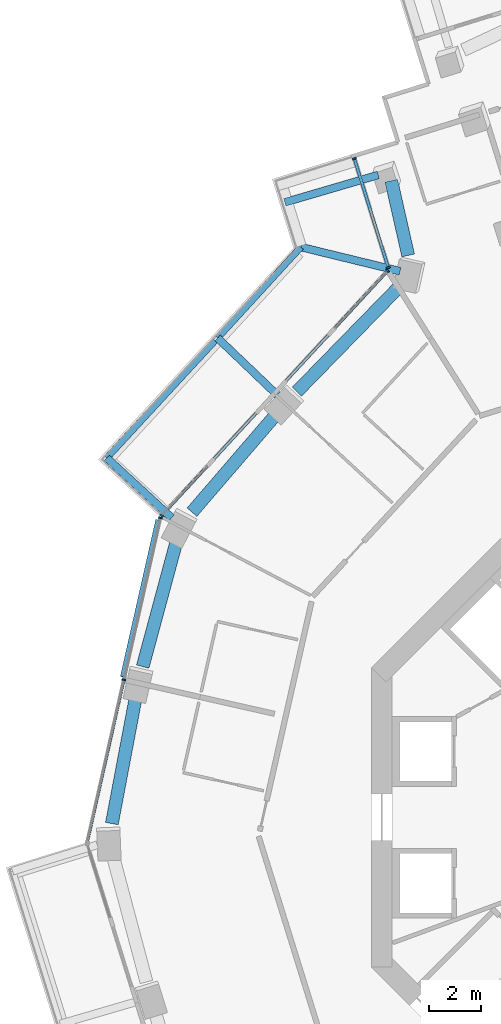
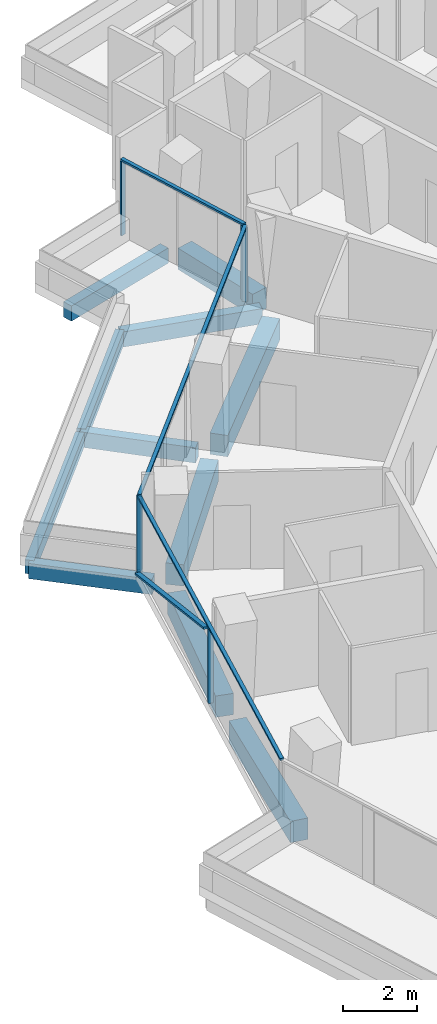
# One storey, part 7 of 25: 11 beams, 10 members, 3 elements without a shape of their own.
"""IFC4 building model written with IfcOpenShell, lengths in metres."""

from ifc_helpers import new_model, si_unit, direction, frame, origin, origin_2d, place, context, subcontext, project, spatial, rectangle, extrude, material, layer, layer_set, material_profile, profile_set, type_object, element, aggregate, save


model = new_model("IFC4")

# Units and contexts
model_context = context("Model", 3, precision=1e-05, world=origin(), true_north=direction((0.0, 1.0)))
body_context = subcontext(model_context, "Body", "Model", "MODEL_VIEW")
ifc_project = project(units=[si_unit("LENGTHUNIT", "METRE"), si_unit("AREAUNIT", "SQUARE_METRE"), si_unit("VOLUMEUNIT", "CUBIC_METRE"), si_unit("PLANEANGLEUNIT", "RADIAN"), si_unit("MASSUNIT", "GRAM", prefix="KILO")], contexts=[model_context])

# Site, building, storey
site_placement = place(None, origin())
site = spatial("IfcSite", under=ifc_project, at=site_placement, CompositionType="ELEMENT")
building_placement = place(site_placement, origin())
building = spatial("IfcBuilding", under=site, at=building_placement, Name="Verdalira Terraces Hotel", CompositionType="ELEMENT")
storey_placement = place(building_placement, frame((0.0, 0.0, 103.5)))
storey = spatial("IfcBuildingStorey", under=building, at=storey_placement, Name="L24", CompositionType="ELEMENT", Elevation=103.5)

# Beams
ifc_material_1 = material(Name="Concrete C40", Category="concrete")
ifc_material_profile_1 = material_profile(ifc_material_1, rectangle(XDim=0.300049, YDim=0.5, at=origin_2d()), Name="RC 300X500")
ifc_profile_set_1 = profile_set([ifc_material_profile_1], Name="Concrete C40")
beam_type_1 = type_object("IfcBeamType", Name="Balcony cantilever beam RC 300X500 C40", PredefinedType="BEAM", material=ifc_profile_set_1)
beam_1_placement = place(storey_placement, frame((-12.894531, 21.148926, -0.560059), z_axis=(-0.971639592, 0.236466706, 0.0), x_axis=(-0.236466706, -0.971639592, 0.0)))
element("IfcBeam", 1, at=beam_1_placement, inside=storey, type_object=beam_type_1, Name="Balcony cantilever beam R10-1", PredefinedType="BEAM", context=body_context, shape_type="SweptSolid", body=[
    extrude(rectangle(XDim=0.300049, YDim=0.5, at=origin_2d()), origin(), (0.0, 0.0, 1.0), 3.950195),
])
beam_2_placement = place(storey_placement, frame((-17.645996, 16.352539, -0.560059), z_axis=(-0.723166767, 0.69067346, 0.0), x_axis=(-0.69067346, -0.723166767, 0.0)))
element("IfcBeam", 2, at=beam_2_placement, inside=storey, type_object=beam_type_1, Name="Balcony cantilever beam R10-2", PredefinedType="BEAM", context=body_context, shape_type="SweptSolid", body=[
    extrude(rectangle(XDim=0.300049, YDim=0.5, at=origin_2d()), origin(), (0.0, 0.0, 1.0), 3.200684),
])
beam_3_placement = place(storey_placement, frame((-21.73999, 11.599609, -0.560059), z_axis=(-0.734696606, 0.678395826, 0.0), x_axis=(-0.678395826, -0.734696606, 0.0)))
element("IfcBeam", 3, at=beam_3_placement, inside=storey, type_object=beam_type_1, Name="Balcony cantilever beam R10-3", PredefinedType="BEAM", context=body_context, shape_type="SweptSolid", body=[
    extrude(rectangle(XDim=0.300049, YDim=0.5, at=origin_2d()), origin(), (0.0, 0.0, 1.0), 3.416992),
])
beam_4_placement = place(storey_placement, frame((-13.737305, 24.876709, -0.560059), z_axis=(-0.959711021, -0.280988891, 0.0), x_axis=(0.280988891, -0.959711021, 0.0)))
element("IfcBeam", 4, at=beam_4_placement, inside=storey, type_object=beam_type_1, Name="Balcony cantilever beam R10-4", PredefinedType="BEAM", context=body_context, shape_type="SweptSolid", body=[
    extrude(rectangle(XDim=0.300049, YDim=0.5, at=origin_2d()), origin(), (0.0, 0.0, 1.0), 3.772705),
])
ifc_material_2 = material(Name="Concrete C40", Category="concrete")
ifc_material_profile_2 = material_profile(ifc_material_2, rectangle(XDim=0.25, YDim=0.449951, at=origin_2d()), Name="RC 250X450")
ifc_profile_set_2 = profile_set([ifc_material_profile_2], Name="Concrete C40")
beam_type_2 = type_object("IfcBeamType", Name="Balcony edge beam RC 250X450 C40", PredefinedType="BEAM", material=ifc_profile_set_2)
beam_5_placement = place(storey_placement, frame((-16.732666, 22.083008, -0.534912), z_axis=(-0.675902852, -0.736990729, 0.0), x_axis=(0.736990729, -0.675902852, 0.0)))
element("IfcBeam", 5, at=beam_5_placement, inside=storey, type_object=beam_type_2, Name="Balcony edge beam R10-1", PredefinedType="BEAM", context=body_context, shape_type="SweptSolid", body=[
    extrude(rectangle(XDim=0.25, YDim=0.449951, at=origin_2d()), origin(), (0.0, 0.0, 1.0), 4.775879),
])
beam_6_placement = place(storey_placement, frame((-20.0625, 18.452881, -0.534912), z_axis=(-0.678427925, -0.734666966, 0.0), x_axis=(0.734666966, -0.678427925, 0.0)))
element("IfcBeam", 6, at=beam_6_placement, inside=storey, type_object=beam_type_2, Name="Balcony edge beam R10-2", PredefinedType="BEAM", context=body_context, shape_type="SweptSolid", body=[
    extrude(rectangle(XDim=0.25, YDim=0.449951, at=origin_2d()), origin(), (0.0, 0.0, 1.0), 6.173096),
])

# Curtain wall, members
ifc_material_3 = material(Name="Clear glass", Category="glass")
ifc_layer_1 = layer(ifc_material_3, 0.14990234375)
ifc_layer_set_1 = layer_set([ifc_layer_1], Name="CW1 curtain wall")
curtain_wall_type_1 = type_object("IfcCurtainWallType", Name="CW1 curtain wall", PredefinedType="NOTDEFINED", material=ifc_layer_set_1)
curtain_wall_1_placement = place(storey_placement, origin())
curtain_wall_1 = element("IfcCurtainWall", 7, at=curtain_wall_1_placement, inside=storey, type_object=curtain_wall_type_1, Name="CW1 curtain wall L24 edge 11", PredefinedType="NOTDEFINED")
ifc_material_4 = material(Name="Terracotta frame", Category="masonry")
ifc_material_profile_3 = material_profile(ifc_material_4, rectangle(XDim=0.060059, YDim=0.149902, at=origin_2d()), Name="MU 60x150")
ifc_profile_set_3 = profile_set([ifc_material_profile_3], Name="Terracotta frame")
member_type_1 = type_object("IfcMemberType", Name="CW1 mullion 60x150", PredefinedType="MULLION", material=ifc_profile_set_3)
member_1_placement = place(storey_placement, frame((-13.377686, 21.159668, 0.0), z_axis=(0.0, 0.0, 1.0), x_axis=(-0.678416162, -0.734677828, 0.0)))
member_1 = element("IfcMember", 8, at=member_1_placement, type_object=member_type_1, Name="CW1 mullion", PredefinedType="MULLION", context=body_context, shape_type="SweptSolid", body=[
    extrude(rectangle(XDim=0.060059, YDim=0.149902, at=origin_2d()), origin(), (0.0, 0.0, 1.0), 2.425049),
])
member_2_placement = place(storey_placement, frame((-22.12915, 11.682617, 0.0), z_axis=(0.0, 0.0, 1.0), x_axis=(-0.678416162, -0.734677828, 0.0)))
member_2 = element("IfcMember", 9, at=member_2_placement, type_object=member_type_1, Name="CW1 mullion", PredefinedType="MULLION", context=body_context, shape_type="SweptSolid", body=[
    extrude(rectangle(XDim=0.060059, YDim=0.149902, at=origin_2d()), origin(), (0.0, 0.0, 1.0), 2.425049),
])

curtain_wall_2_placement = place(storey_placement, origin())
curtain_wall_2 = element("IfcCurtainWall", 10, at=curtain_wall_2_placement, inside=storey, type_object=curtain_wall_type_1, Name="CW1 curtain wall L24 edge 12", PredefinedType="NOTDEFINED")
member_3_placement = place(storey_placement, frame((-22.174072, 11.596924, 0.0), z_axis=(0.0, 0.0, 1.0), x_axis=(-0.220186717, -0.975457744, 0.0)))
member_3 = element("IfcMember", 11, at=member_3_placement, type_object=member_type_1, Name="CW1 mullion", PredefinedType="MULLION", context=body_context, shape_type="SweptSolid", body=[
    extrude(rectangle(XDim=0.060059, YDim=0.149902, at=origin_2d()), origin(), (0.0, 0.0, 1.0), 2.425049),
])
member_4_placement = place(storey_placement, frame((-23.589844, 5.324951, 0.0), z_axis=(0.0, 0.0, 1.0), x_axis=(-0.220186717, -0.975457744, 0.0)))
member_4 = element("IfcMember", 12, at=member_4_placement, type_object=member_type_1, Name="CW1 mullion", PredefinedType="MULLION", context=body_context, shape_type="SweptSolid", body=[
    extrude(rectangle(XDim=0.060059, YDim=0.149902, at=origin_2d()), origin(), (0.0, 0.0, 1.0), 2.425049),
])

# Member
ifc_material_5 = material(Name="Terracotta frame", Category="masonry")
ifc_material_profile_4 = material_profile(ifc_material_5, rectangle(XDim=0.110107, YDim=0.064941, at=origin_2d()), Name="TR 65x110")
ifc_profile_set_4 = profile_set([ifc_material_profile_4], Name="Terracotta frame")
member_type_2 = type_object("IfcMemberType", Name="CW1 transom 65x110", PredefinedType="USERDEFINED", material=ifc_profile_set_4)
member_5_placement = place(storey_placement, frame((-13.357178, 21.181885, 2.45752), z_axis=(-0.678412319, -0.734681377, 0.0), x_axis=(0.734681377, -0.678412319, 0.0)))
member_5 = element("IfcMember", 13, at=member_5_placement, type_object=member_type_2, Name="CW1 transom", ObjectType="TRANSOM", PredefinedType="USERDEFINED", context=body_context, shape_type="SweptSolid", body=[
    extrude(rectangle(XDim=0.110107, YDim=0.064941, at=origin_2d()), origin(), (0.0, 0.0, 1.0), 12.959961),
])

aggregate(curtain_wall_1, [member_1, member_2, member_5])

member_6_placement = place(storey_placement, frame((-22.16748, 11.626221, 2.45752), z_axis=(-0.22018663, -0.975457763, 0.0), x_axis=(0.975457763, -0.22018663, 0.0)))
member_6 = element("IfcMember", 14, at=member_6_placement, type_object=member_type_2, Name="CW1 transom", ObjectType="TRANSOM", PredefinedType="USERDEFINED", context=body_context, shape_type="SweptSolid", body=[
    extrude(rectangle(XDim=0.110107, YDim=0.064941, at=origin_2d()), origin(), (0.0, 0.0, 1.0), 12.919678),
])

# Curtain wall, members
ifc_material_6 = material(Name="Clear glass", Category="glass")
ifc_layer_2 = layer(ifc_material_6, 0.14990234375)
ifc_layer_set_2 = layer_set([ifc_layer_2], Name="CW2 curtain wall")
curtain_wall_type_2 = type_object("IfcCurtainWallType", Name="CW2 curtain wall", PredefinedType="NOTDEFINED", material=ifc_layer_set_2)
curtain_wall_3_placement = place(storey_placement, origin())
curtain_wall_3 = element("IfcCurtainWall", 15, at=curtain_wall_3_placement, inside=storey, type_object=curtain_wall_type_2, Name="CW2 curtain wall L24 edge 10", PredefinedType="NOTDEFINED")
ifc_material_7 = material(Name="Terracotta frame", Category="masonry")
ifc_material_profile_5 = material_profile(ifc_material_7, rectangle(XDim=0.070068, YDim=0.149902, at=origin_2d()), Name="MU 70x150")
ifc_profile_set_5 = profile_set([ifc_material_profile_5], Name="Terracotta frame")
member_type_3 = type_object("IfcMemberType", Name="CW2 mullion 70x150", PredefinedType="MULLION", material=ifc_profile_set_5)
member_7_placement = place(storey_placement, frame((-14.664551, 25.510498, 0.0), z_axis=(0.0, 0.0, 1.0), x_axis=(0.297041582, -0.954864545, 0.0)))
member_7 = element("IfcMember", 16, at=member_7_placement, type_object=member_type_3, Name="CW2 mullion", PredefinedType="MULLION", context=body_context, shape_type="SweptSolid", body=[
    extrude(rectangle(XDim=0.070068, YDim=0.149902, at=origin_2d()), origin(), (0.0, 0.0, 1.0), 2.425049),
])
member_8_placement = place(storey_placement, frame((-13.351074, 21.28833, 0.0), z_axis=(0.0, 0.0, 1.0), x_axis=(0.297041582, -0.954864545, 0.0)))
member_8 = element("IfcMember", 17, at=member_8_placement, type_object=member_type_3, Name="CW2 mullion", PredefinedType="MULLION", context=body_context, shape_type="SweptSolid", body=[
    extrude(rectangle(XDim=0.070068, YDim=0.149902, at=origin_2d()), origin(), (0.0, 0.0, 1.0), 2.425049),
])
ifc_material_8 = material(Name="Terracotta frame", Category="masonry")
ifc_material_profile_6 = material_profile(ifc_material_8, rectangle(XDim=0.11499, YDim=0.064941, at=origin_2d()), Name="TR 65x115")
ifc_profile_set_6 = profile_set([ifc_material_profile_6], Name="Terracotta frame")
member_type_4 = type_object("IfcMemberType", Name="CW2 transom 65x115", PredefinedType="USERDEFINED", material=ifc_profile_set_6)
member_9_placement = place(storey_placement, frame((-14.675049, 25.543945, 2.45752), z_axis=(0.297036819, -0.954866026, 0.0), x_axis=(0.954866026, 0.297036819, 0.0)))
member_9 = element("IfcMember", 18, at=member_9_placement, type_object=member_type_4, Name="CW2 transom", ObjectType="TRANSOM", PredefinedType="USERDEFINED", context=body_context, shape_type="SweptSolid", body=[
    extrude(rectangle(XDim=0.11499, YDim=0.064941, at=origin_2d()), origin(), (0.0, 0.0, 1.0), 4.491699),
])
aggregate(curtain_wall_3, [member_7, member_8, member_9])

# Member
ifc_material_9 = material(Name="Terracotta frame", Category="masonry")
ifc_material_profile_7 = material_profile(ifc_material_9, rectangle(XDim=0.149902, YDim=0.060059, at=origin_2d()), Name="GB 60x150")
ifc_profile_set_7 = profile_set([ifc_material_profile_7], Name="Terracotta frame")
member_type_5 = type_object("IfcMemberType", Name="Diagonal glazing bar 60x150", PredefinedType="USERDEFINED", material=ifc_profile_set_7)
member_10_placement = place(storey_placement, frame((-22.28418, 11.513428, 0.028809), z_axis=(-0.205757661, -0.911637054, 0.355783174), x_axis=(0.975463037, -0.220163268, 0.0)))
member_10 = element("IfcMember", 19, at=member_10_placement, type_object=member_type_5, Name="Diagonal glazing bar", ObjectType="GLAZING BAR", PredefinedType="USERDEFINED", context=body_context, shape_type="SweptSolid", body=[
    extrude(rectangle(XDim=0.149902, YDim=0.060059, at=origin_2d()), origin(), (0.0, 0.0, 1.0), 6.654053),
])

aggregate(curtain_wall_2, [member_3, member_4, member_6, member_10])

# Beams
ifc_material_10 = material(Name="Concrete C70", Category="concrete")
ifc_material_profile_8 = material_profile(ifc_material_10, rectangle(XDim=0.5, YDim=0.699951, at=origin_2d()), Name="RC 500X700")
ifc_profile_set_8 = profile_set([ifc_material_profile_8], Name="Concrete C70")
beam_type_3 = type_object("IfcBeamType", Name="Spandrel beam RC 500X700 C70", PredefinedType="SPANDREL", material=ifc_profile_set_8)
beam_7_placement = place(storey_placement, frame((-13.233887, 24.651855, -0.659912), z_axis=(0.220634969, -0.975356453, 0.0), x_axis=(0.975356453, 0.220634969, 0.0)))
element("IfcBeam", 20, at=beam_7_placement, inside=storey, type_object=beam_type_3, Name="Spandrel beam B03", PredefinedType="SPANDREL", context=body_context, shape_type="SweptSolid", body=[
    extrude(rectangle(XDim=0.5, YDim=0.699951, at=origin_2d()), origin(), (0.0, 0.0, 1.0), 2.964355),
])
beam_8_placement = place(storey_placement, frame((-12.92749, 20.544922, -0.659912), z_axis=(-0.698379793, -0.715727368, 0.0), x_axis=(0.715727368, -0.698379793, 0.0)))
element("IfcBeam", 21, at=beam_8_placement, inside=storey, type_object=beam_type_3, Name="Spandrel beam B04", PredefinedType="SPANDREL", context=body_context, shape_type="SweptSolid", body=[
    extrude(rectangle(XDim=0.5, YDim=0.699951, at=origin_2d()), origin(), (0.0, 0.0, 1.0), 5.671631),
])
beam_9_placement = place(storey_placement, frame((-17.683105, 15.617676, -0.659912), z_axis=(-0.652202212, -0.758045035, 0.0), x_axis=(0.758045035, -0.652202212, 0.0)))
element("IfcBeam", 22, at=beam_9_placement, inside=storey, type_object=beam_type_3, Name="Spandrel beam B05", PredefinedType="SPANDREL", context=body_context, shape_type="SweptSolid", body=[
    extrude(rectangle(XDim=0.5, YDim=0.699951, at=origin_2d()), origin(), (0.0, 0.0, 1.0), 5.012207),
])
beam_10_placement = place(storey_placement, frame((-21.552979, 10.678955, -0.659912), z_axis=(-0.260476198, -0.965480269, 0.0), x_axis=(0.965480269, -0.260476198, 0.0)))
element("IfcBeam", 23, at=beam_10_placement, inside=storey, type_object=beam_type_3, Name="Spandrel beam B06", PredefinedType="SPANDREL", context=body_context, shape_type="SweptSolid", body=[
    extrude(rectangle(XDim=0.5, YDim=0.699951, at=origin_2d()), origin(), (0.0, 0.0, 1.0), 5.015381),
])
beam_11_placement = place(storey_placement, frame((-23.122803, 4.683594, -0.659912), z_axis=(-0.18578236, -0.982590919, 0.0), x_axis=(0.982590919, -0.18578236, 0.0)))
element("IfcBeam", 24, at=beam_11_placement, inside=storey, type_object=beam_type_3, Name="Spandrel beam B07", PredefinedType="SPANDREL", context=body_context, shape_type="SweptSolid", body=[
    extrude(rectangle(XDim=0.5, YDim=0.699951, at=origin_2d()), origin(), (0.0, 0.0, 1.0), 5.011963),
])

save(model, "model.ifc")
